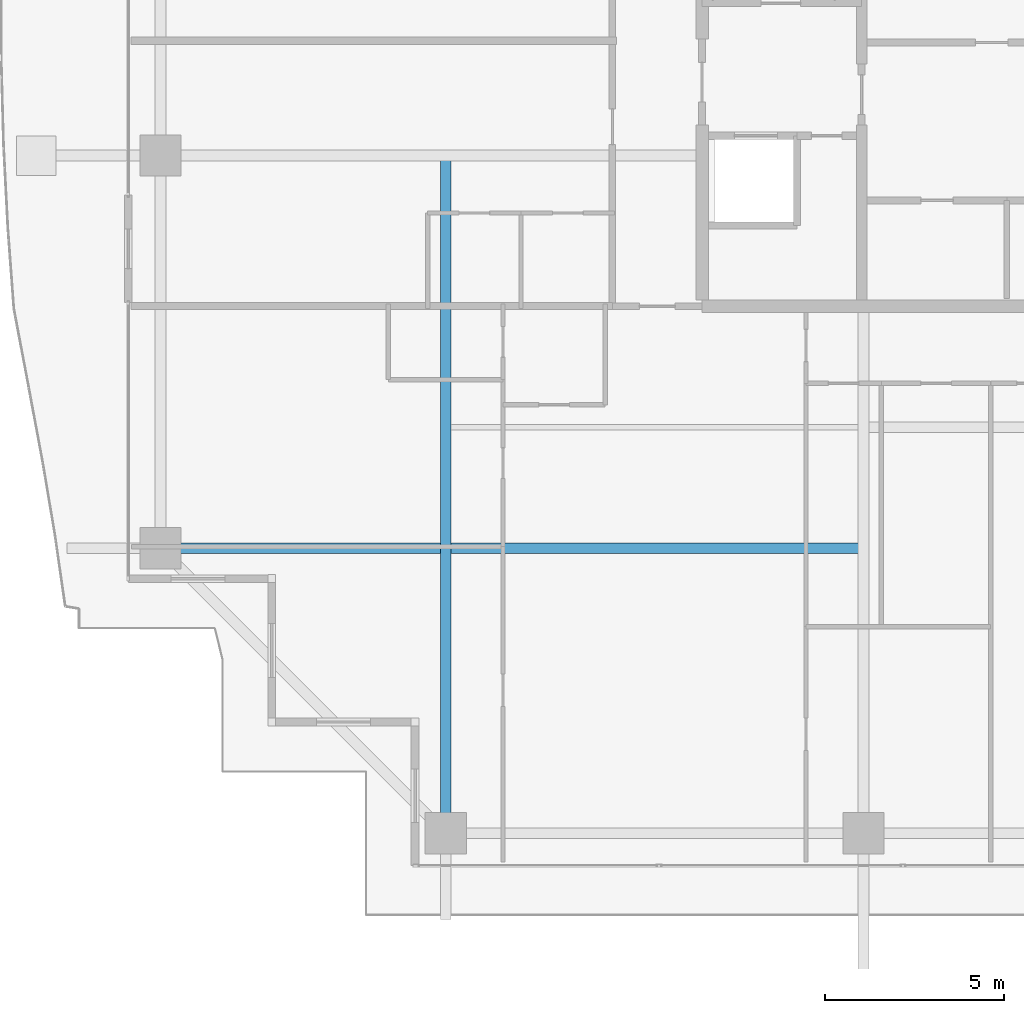
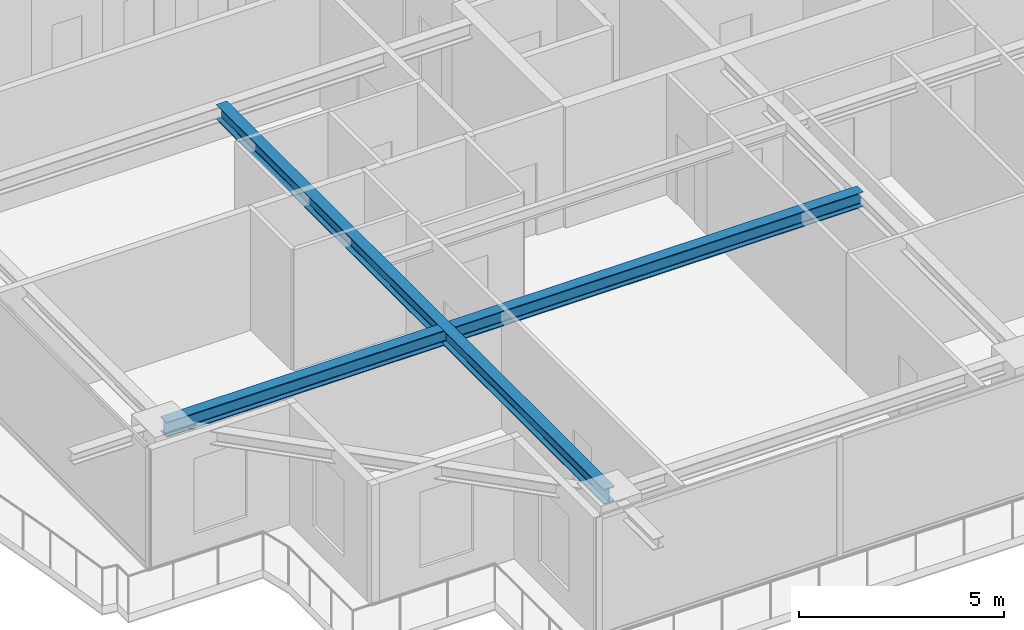
# One storey, part 4 of 38: 2 beams.
"""IFC4 building model written with IfcOpenShell, lengths in metres."""

import ifcopenshell
import ifcopenshell.guid

model = None  # the IFC model being written
_history = None  # IfcOwnerHistory: only IFC2X3 demands one
_inside = {}  # id of a spatial element -> (the spatial element, [elements in it])
_under = {}  # id of a project, library or spatial element -> (it, [spatial elements below it])
_declared = {}  # id of a project -> (the project, [libraries it declares])
_typed = {}  # id of a type object -> (the type object, [elements of that type])
_made_of = {}  # id of a material, layer set ... -> (it, [elements and type objects made of it])


def new_model(schema):
    """Start an empty IFC model of exactly this schema.

    Asked for "IFC4X3", IfcOpenShell would pick the latest addendum, in which some entities
    have other attributes; the version numbers below select the first issue.
    IFC2X3 requires an IfcOwnerHistory on every rooted entity: one is made here for all.
    """
    global model, _history
    if schema == "IFC4X3":
        model = ifcopenshell.file(schema_version=(4, 3, 0, 0))
    else:
        model = ifcopenshell.file(schema=schema)
    _inside.clear()
    _under.clear()
    _declared.clear()
    _typed.clear()
    _made_of.clear()
    _history = None
    if model.schema == "IFC2X3":
        org = make("IfcOrganization", Name="unknown")
        user = make(
            "IfcPersonAndOrganization",
            ThePerson=make("IfcPerson", FamilyName="unknown"),
            TheOrganization=org,
        )
        app = make(
            "IfcApplication",
            ApplicationDeveloper=org,
            Version="unknown",
            ApplicationFullName="unknown",
            ApplicationIdentifier="unknown",
        )
        _history = make(
            "IfcOwnerHistory",
            OwningUser=user,
            OwningApplication=app,
            ChangeAction="ADDED",
            CreationDate=0,
        )
    return model


def make(cls, **values):
    """One entity of the class cls with the attributes given. An attribute that is None is left unset."""
    return model.create_entity(
        cls, **{name: value for name, value in values.items() if value is not None}
    )


def rooted(cls, **values):
    """An entity with a GlobalId (a new one), such as an element, a storey or a relation."""
    return make(cls, GlobalId=ifcopenshell.guid.new(), OwnerHistory=_history, **values)


def si_unit(unit_type, name, prefix=None):
    """IfcSIUnit, for example si_unit("LENGTHUNIT", "METRE", prefix="MILLI")."""
    return make("IfcSIUnit", UnitType=unit_type, Prefix=prefix, Name=name)


def assignment(units):
    """IfcUnitAssignment: the units of a project."""
    return None if units is None else make("IfcUnitAssignment", Units=units)


def point(xyz):
    """IfcCartesianPoint."""
    return None if xyz is None else make("IfcCartesianPoint", Coordinates=xyz)


def direction(xyz):
    """IfcDirection."""
    return None if xyz is None else make("IfcDirection", DirectionRatios=xyz)


def frame(location, z_axis=None, x_axis=None):
    """IfcAxis2Placement3D, a coordinate frame: its origin and axes. An axis left out is left unset."""
    return make(
        "IfcAxis2Placement3D",
        Location=point(location),
        Axis=direction(z_axis),
        RefDirection=direction(x_axis),
    )


def frame_2d(location, x_axis=None):
    """IfcAxis2Placement2D, a coordinate frame in the plane: its origin and x axis."""
    return make(
        "IfcAxis2Placement2D", Location=point(location), RefDirection=direction(x_axis)
    )


def origin():
    """The frame at (0, 0, 0) with its axes left unset."""
    return frame((0.0, 0.0, 0.0))


def origin_2d():
    """The frame at (0, 0) in the plane with its x axis left unset."""
    return frame_2d((0.0, 0.0))


def place(relative_to, where):
    """IfcLocalPlacement: puts the frame where relative to a parent placement (None: the world)."""
    return make(
        "IfcLocalPlacement", PlacementRelTo=relative_to, RelativePlacement=where
    )


def context(
    kind, dimensions, precision=None, world=None, true_north=None, identifier=None
):
    """IfcGeometricRepresentationContext, for example the 3D "Model" context."""
    return make(
        "IfcGeometricRepresentationContext",
        ContextIdentifier=identifier,
        ContextType=kind,
        CoordinateSpaceDimension=dimensions,
        Precision=precision,
        WorldCoordinateSystem=world,
        TrueNorth=true_north,
    )


def subcontext(parent, identifier, kind, view, scale=None):
    """IfcGeometricRepresentationSubContext, for example "Body" below "Model"."""
    return make(
        "IfcGeometricRepresentationSubContext",
        ContextIdentifier=identifier,
        ContextType=kind,
        ParentContext=parent,
        TargetScale=scale,
        TargetView=view,
    )


def project(units=None, contexts=None):
    """IfcProject with its units and contexts."""
    return rooted(
        "IfcProject",
        Name="project",
        RepresentationContexts=contexts,
        UnitsInContext=assignment(units),
    )


def spatial(cls, under=None, at=None, **own):
    """A site, building, storey or space (cls), placed at a placement, below another one or the project."""
    s = rooted(cls, ObjectPlacement=at, **own)
    if under is not None:
        _under.setdefault(under.id(), (under, []))[1].append(s)
    return s


def profile(cls, at=None, kind="AREA", **sizes):
    """A parametric profile (cls). Its sizes go by their IFC names, for example OverallWidth=200.0."""
    return make(cls, ProfileType=kind, Position=at, **sizes)


def i_section(**sizes):
    """IfcIShapeProfileDef."""
    return profile("IfcIShapeProfileDef", **sizes)


def extrude(swept, where, along, depth):
    """IfcExtrudedAreaSolid: the profile swept, set in the frame where, extruded along a direction by depth."""
    return make(
        "IfcExtrudedAreaSolid",
        SweptArea=swept,
        Position=where,
        ExtrudedDirection=direction(along),
        Depth=depth,
    )


def shape(context_of_items, identifier, shape_type, items):
    """IfcShapeRepresentation: the items that make up one representation, for example the "Body"."""
    return make(
        "IfcShapeRepresentation",
        ContextOfItems=context_of_items,
        RepresentationIdentifier=identifier,
        RepresentationType=shape_type,
        Items=items,
    )


def source(mapping_origin, context_of_items, identifier, shape_type, items):
    """IfcRepresentationMap: a shape defined once, which mapped items show again and again."""
    return make(
        "IfcRepresentationMap",
        MappingOrigin=mapping_origin,
        MappedRepresentation=shape(context_of_items, identifier, shape_type, items),
    )


def transform(
    local_origin,
    x_axis=None,
    y_axis=None,
    z_axis=None,
    scale=None,
    scale2=None,
    scale3=None,
    uniform=True,
):
    """IfcCartesianTransformationOperator3D, or its non-uniform kind. x_axis, y_axis, z_axis: its Axis1, 2, 3."""
    if uniform:
        return make(
            "IfcCartesianTransformationOperator3D",
            Axis1=direction(x_axis),
            Axis2=direction(y_axis),
            LocalOrigin=point(local_origin),
            Scale=scale,
            Axis3=direction(z_axis),
        )
    return make(
        "IfcCartesianTransformationOperator3DnonUniform",
        Axis1=direction(x_axis),
        Axis2=direction(y_axis),
        LocalOrigin=point(local_origin),
        Scale=scale,
        Axis3=direction(z_axis),
        Scale2=scale2,
        Scale3=scale3,
    )


def mapped(mapping_source, mapping_target):
    """IfcMappedItem: shows the shape of a source again, moved by a transform."""
    return make(
        "IfcMappedItem", MappingSource=mapping_source, MappingTarget=mapping_target
    )


def material(Name=None, Category=None):
    """IfcMaterial."""
    return make("IfcMaterial", Name=Name, Category=Category)


def material_profile(
    of_material, cross_section, Name=None, Category=None, Priority=None
):
    """IfcMaterialProfile: a cross section and its material."""
    return make(
        "IfcMaterialProfile",
        Name=Name,
        Material=of_material,
        Profile=cross_section,
        Priority=Priority,
        Category=Category,
    )


def profile_set(profiles, Name=None, composite=None):
    """IfcMaterialProfileSet."""
    return make(
        "IfcMaterialProfileSet",
        Name=Name,
        MaterialProfiles=profiles,
        CompositeProfile=composite,
    )


def made_of(thing, what):
    """Note that an element or type object is made of a material, layer set ...; save() writes the relation."""
    if what is not None:
        _made_of.setdefault(what.id(), (what, []))[1].append(thing)
    return thing


def type_object(cls, material=None, **own):
    """A type object (cls), such as IfcWallType, which elements share."""
    return made_of(rooted(cls, **own), material)


def element(
    cls,
    number,
    at=None,
    inside=None,
    cuts=None,
    type_object=None,
    material=None,
    context=None,
    identifier="Body",
    shape_type=None,
    held_by="IfcProductDefinitionShape",
    body=None,
    shapes=None,
    **own,
):
    """One element of the class cls, such as IfcWall. Its Tag is "e" and its number.

    at: its placement. inside: the storey or other place that contains it. cuts: it is an
    opening in that element (IfcRelVoidsElement). A single representation is given by context,
    identifier, shape_type and body (its items); several are given by shapes. held_by: the class
    of the entity that holds the representations. save() writes the other relations.
    """
    e = rooted(cls, Tag="e%d" % number, ObjectPlacement=at, **own)
    if body is not None:
        shapes = [shape(context, identifier, shape_type, body)]
    if shapes is not None:
        e.Representation = make(held_by, Representations=shapes)
    if inside is not None:
        _inside.setdefault(inside.id(), (inside, []))[1].append(e)
    if cuts is not None:
        rooted(
            "IfcRelVoidsElement", RelatingBuildingElement=cuts, RelatedOpeningElement=e
        )
    if type_object is not None:
        _typed.setdefault(type_object.id(), (type_object, []))[1].append(e)
    return made_of(e, material)


def aggregate(whole, parts):
    """IfcRelAggregates: a whole, such as a stair, and the parts it consists of."""
    return rooted("IfcRelAggregates", RelatingObject=whole, RelatedObjects=parts)


def save(model, path):
    """Write the relations noted so far, then the file.

    IfcRelAggregates (storeys below a building ...), IfcRelContainedInSpatialStructure (elements
    in a storey), IfcRelDefinesByType, IfcRelAssociatesMaterial and IfcRelDeclares: one each for
    every whole, place, type object, material and project.
    """
    for whole, parts in _under.values():
        aggregate(whole, parts)
    for where, things in _inside.values():
        rooted(
            "IfcRelContainedInSpatialStructure",
            RelatedElements=things,
            RelatingStructure=where,
        )
    for kind, things in _typed.values():
        rooted("IfcRelDefinesByType", RelatedObjects=things, RelatingType=kind)
    for what, things in _made_of.values():
        rooted("IfcRelAssociatesMaterial", RelatedObjects=things, RelatingMaterial=what)
    for by, libraries in _declared.values():
        rooted("IfcRelDeclares", RelatingContext=by, RelatedDefinitions=libraries)
    model.write(path)


model = new_model("IFC4")

# Units and contexts
model_context = context("Model", 3, precision=1e-05, world=origin(), true_north=direction((0.0, 1.0)))
body_context = subcontext(model_context, "Body", "Model", "MODEL_VIEW")
ifc_project = project(units=[si_unit("LENGTHUNIT", "METRE"), si_unit("AREAUNIT", "SQUARE_METRE"), si_unit("VOLUMEUNIT", "CUBIC_METRE"), si_unit("PLANEANGLEUNIT", "RADIAN"), si_unit("MASSUNIT", "GRAM", prefix="KILO")], contexts=[model_context])

# Site, building, storey
site_placement = place(None, origin())
site = spatial("IfcSite", under=ifc_project, at=site_placement, CompositionType="ELEMENT")
building_placement = place(site_placement, origin())
building = spatial("IfcBuilding", under=site, at=building_placement, Name="Serunith Strait Residences", CompositionType="ELEMENT")
storey_placement = place(building_placement, frame((0.0, 0.0, 268.199951171875)))
storey = spatial("IfcBuildingStorey", under=building, at=storey_placement, Name="L67", CompositionType="ELEMENT", Elevation=268.199951171875)

# Beams
ifc_material = material(Name="Steel S355J2", Category="steel")
ifc_material_profile = material_profile(ifc_material, i_section(OverallWidth=0.300048828125, OverallDepth=0.449951171875, WebThickness=0.013916015625, FlangeThickness=0.02587890625, FilletRadius=0.027099609375, at=origin_2d()), Name="HEB 450")
ifc_profile_set = profile_set([ifc_material_profile], Name="Steel S355J2")
beam_type = type_object("IfcBeamType", Name="BM-HEB450", PredefinedType="BEAM", material=ifc_profile_set)
shared_shape_1 = source(origin(), body_context, "Body", "SweptSolid", [
    extrude(i_section(OverallWidth=0.300048828125, OverallDepth=0.449951171875, WebThickness=0.013916015625, FlangeThickness=0.02587890625, FilletRadius=0.027099609375, at=origin_2d()), origin(), (0.0, 0.0, 1.0), 18.89990234375),
])
beam_1_placement = place(storey_placement, frame((16.25, 21.0, 3.362060546875), z_axis=(0.0, -1.0, 0.0), x_axis=(1.0, 0.0, 0.0)))
element("IfcBeam", 1, at=beam_1_placement, inside=storey, type_object=beam_type, Name="L67 Orthogonal Corner Girder TC-S1", PredefinedType="BEAM", context=body_context, shape_type="MappedRepresentation", body=[
    mapped(shared_shape_1, transform((0.0, 0.0, 0.0), scale=1.0)),
])
shared_shape_2 = source(origin(), body_context, "Body", "SweptSolid", [
    extrude(i_section(OverallWidth=0.300048828125, OverallDepth=0.449951171875, WebThickness=0.013916015625, FlangeThickness=0.02587890625, FilletRadius=0.027099609375, at=origin_2d()), origin(), (0.0, 0.0, 1.0), 19.599853515625),
])
beam_2_placement = place(storey_placement, frame((27.89990234375, 10.050048828125, 3.362060546875), z_axis=(-1.0, 0.0, 0.0), x_axis=(0.0, -1.0, 0.0)))
element("IfcBeam", 2, at=beam_2_placement, inside=storey, type_object=beam_type, Name="L67 Orthogonal Corner Girder TC-W1", PredefinedType="BEAM", context=body_context, shape_type="MappedRepresentation", body=[
    mapped(shared_shape_2, transform((0.0, 0.0, 0.0), scale=1.0)),
])

save(model, "model.ifc")
